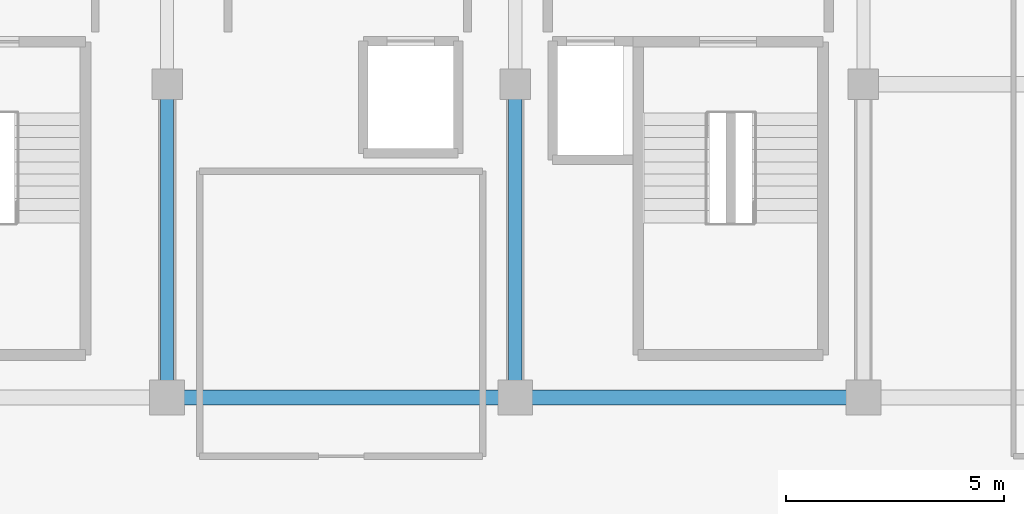
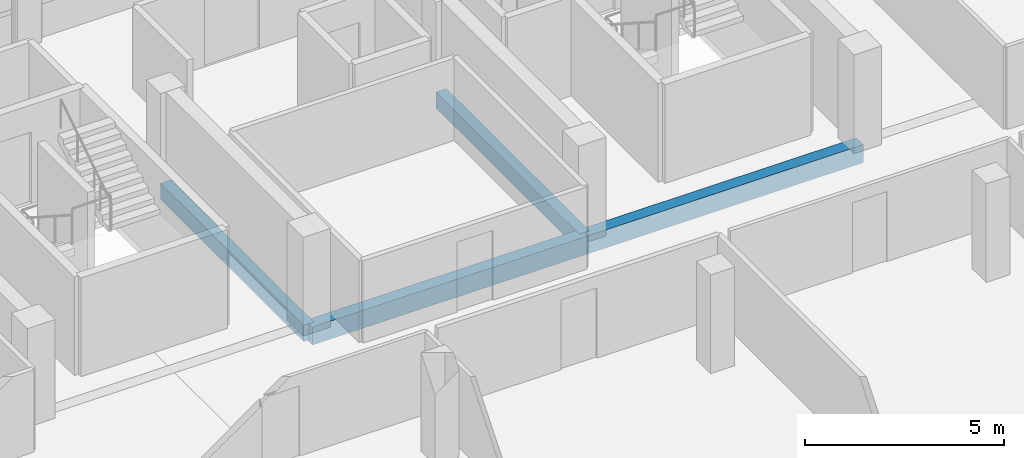
# One storey, part 8 of 21: 4 beams.
"""IFC4 building model written with IfcOpenShell, lengths in metres."""

from ifc_helpers import new_model, si_unit, direction, frame, origin, origin_2d, place, context, subcontext, project, spatial, rectangle, extrude, material, material_profile, profile_set, type_object, element, save


model = new_model("IFC4")

# Units and contexts
model_context = context("Model", 3, precision=1e-05, world=origin(), true_north=direction((0.0, 1.0)))
body_context = subcontext(model_context, "Body", "Model", "MODEL_VIEW")
ifc_project = project(units=[si_unit("LENGTHUNIT", "METRE"), si_unit("AREAUNIT", "SQUARE_METRE"), si_unit("VOLUMEUNIT", "CUBIC_METRE"), si_unit("PLANEANGLEUNIT", "RADIAN"), si_unit("MASSUNIT", "GRAM", prefix="KILO")], contexts=[model_context])

# Site, building, storey
site_placement = place(None, origin())
site = spatial("IfcSite", under=ifc_project, at=site_placement, CompositionType="ELEMENT")
building_placement = place(site_placement, origin())
building = spatial("IfcBuilding", under=site, at=building_placement, Name="Akrevak Sports Hall", CompositionType="ELEMENT")
storey_placement = place(building_placement, frame((0.0, 0.0, 53.550048828125)))
storey = spatial("IfcBuildingStorey", under=building, at=storey_placement, Name="L13", CompositionType="ELEMENT", Elevation=53.550048828125)

# Beams
ifc_material = material(Name="Concrete C40/50", Category="concrete")
ifc_material_profile_1 = material_profile(ifc_material, rectangle(XDim=0.300048828125, YDim=0.5, at=origin_2d()), Name="BM 300x500", Category="concrete")
ifc_profile_set_1 = profile_set([ifc_material_profile_1], Name="Concrete C40/50")
beam_type_1 = type_object("IfcBeamType", Name="STR-BM-RC300x500", PredefinedType="BEAM", material=ifc_profile_set_1)
for number, where, z_axis, x_axis, name in (
    (1, (84.0, 55.199951171875, -0.25), (0.0, 1.0, 0.0), (-1.0, 0.0, 0.0), "Girder 12/I-J (L13)"),
    (2, (92.0, 55.199951171875, -0.25), (0.0, 1.0, 0.0), (-1.0, 0.0, 0.0), "Girder 13/I-J (L13)"),
):
    element("IfcBeam", number, at=place(storey_placement, frame(where, z_axis=z_axis, x_axis=x_axis)), inside=storey, type_object=beam_type_1, Name=name, PredefinedType="BEAM", context=body_context, shape_type="SweptSolid", body=[
        extrude(rectangle(XDim=0.300048828125, YDim=0.5, at=origin_2d()), origin(), (0.0, 0.0, 1.0), 7.199951171875),
    ])
ifc_material_profile_2 = material_profile(ifc_material, rectangle(XDim=0.35009765625, YDim=0.550048828125, at=origin_2d()), Name="BM 350x550", Category="concrete")
ifc_profile_set_2 = profile_set([ifc_material_profile_2], Name="Concrete C40/50")
beam_type_2 = type_object("IfcBeamType", Name="STR-BM-RC350x550", PredefinedType="BEAM", material=ifc_profile_set_2)
for number, where, z_axis, x_axis, name in (
    (3, (84.0, 55.199951171875, -0.275146484375), (1.0, 0.0, 0.0), (0.0, 1.0, 0.0), "Girder I/12-13 (L13)"),
    (4, (92.0, 55.199951171875, -0.275146484375), (1.0, 0.0, 0.0), (0.0, 1.0, 0.0), "Girder I/13-14 (L13)"),
):
    element("IfcBeam", number, at=place(storey_placement, frame(where, z_axis=z_axis, x_axis=x_axis)), inside=storey, type_object=beam_type_2, Name=name, PredefinedType="BEAM", context=body_context, shape_type="SweptSolid", body=[
        extrude(rectangle(XDim=0.35009765625, YDim=0.550048828125, at=origin_2d()), origin(), (0.0, 0.0, 1.0), 8.0),
    ])

save(model, "model.ifc")
